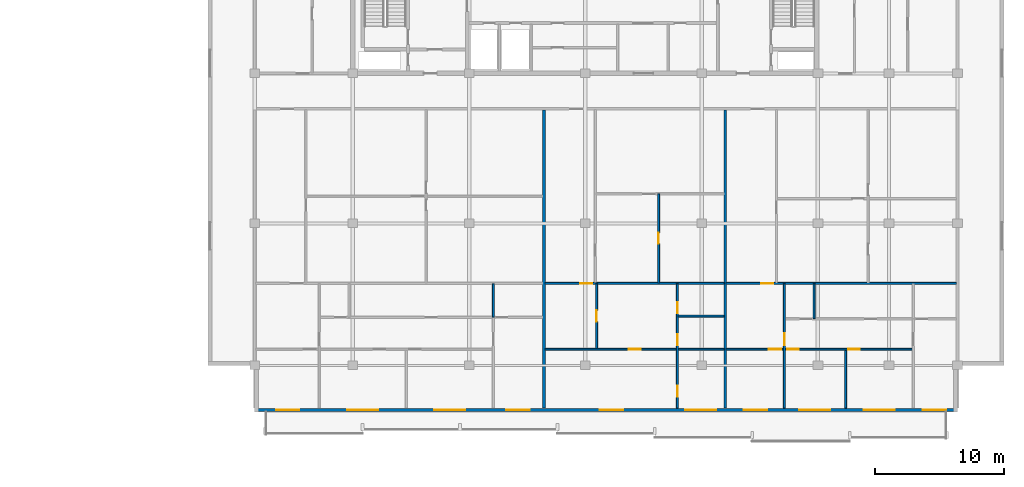
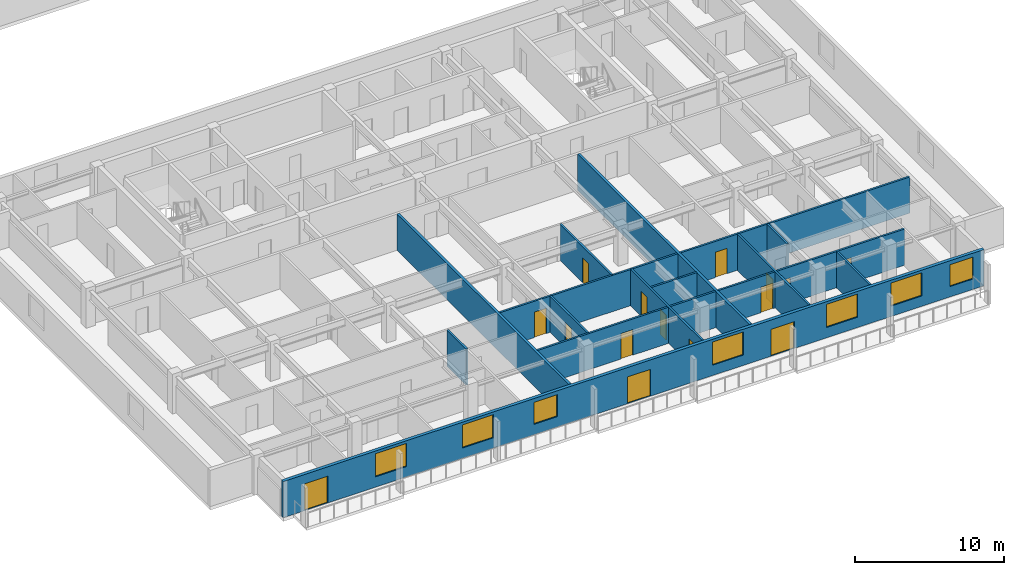
# One storey, part 5 of 22: 15 doors, 15 walls, 7 windows, 22 openings.
"""IFC4 building model written with IfcOpenShell, lengths in metres."""

from ifc_helpers import new_model, si_unit, direction, frame, frame_2d, origin, place, context, subcontext, project, spatial, rectangle, extrude, material, layer, layer_set, type_object, element, fill, save


model = new_model("IFC4")

# Units and contexts
model_context = context("Model", 3, precision=1e-05, world=origin(), true_north=direction((0.0, 1.0)))
body_context = subcontext(model_context, "Body", "Model", "MODEL_VIEW")
ifc_project = project(units=[si_unit("LENGTHUNIT", "METRE"), si_unit("AREAUNIT", "SQUARE_METRE"), si_unit("VOLUMEUNIT", "CUBIC_METRE"), si_unit("PLANEANGLEUNIT", "RADIAN"), si_unit("MASSUNIT", "GRAM", prefix="KILO")], contexts=[model_context])

# Site, building, storey
site_placement = place(None, origin())
site = spatial("IfcSite", under=ifc_project, at=site_placement, CompositionType="ELEMENT")
building_placement = place(site_placement, origin())
building = spatial("IfcBuilding", under=site, at=building_placement, Name="Korimba Cascade Residences", CompositionType="ELEMENT")
storey_placement = place(building_placement, frame((0.0, 0.0, 191.35009765625)))
storey = spatial("IfcBuildingStorey", under=building, at=storey_placement, Name="L55", CompositionType="ELEMENT", Elevation=191.35009765625)

# Wall, openings, doors, windows
ifc_material_1 = material(Name="Precast concrete C40/50", Category="concrete")
ifc_layer_1 = layer(ifc_material_1, 0.25)
ifc_layer_set_1 = layer_set([ifc_layer_1], Name="Precast concrete C40/50")
wall_type_1 = type_object("IfcWallType", Name="EW-LOG-250", PredefinedType="STANDARD", material=ifc_layer_set_1)
wall_1_placement = place(storey_placement, frame((74.5, -7.64990234375, 0.0), z_axis=(0.0, 0.0, 1.0), x_axis=(1.0, 0.0, 0.0)))
wall_1 = element("IfcWall", 1, at=wall_1_placement, inside=storey, type_object=wall_type_1, Name="L55 T2 Perimeter Stone Wall E00", PredefinedType="STANDARD", context=body_context, shape_type="SweptSolid", body=[
    extrude(rectangle(XDim=54.39990234375, YDim=0.25, at=frame_2d((27.199951171875, 0.0))), origin(), (0.0, 0.0, 1.0), 2.969970703125),
])
opening_1_placement = place(wall_1_placement, frame((7.169921875, 0.0, 0.85009765625)))
opening_1 = element("IfcOpeningElement", 2, at=opening_1_placement, cuts=wall_1, Name="Opening W-01", PredefinedType="OPENING", context=body_context, shape_type="SweptSolid", body=[
    extrude(rectangle(XDim=2.39990234375, YDim=1.89990234375, at=frame_2d((1.199951171875, 0.949951171875))), frame((0.0, 0.135009765625, 0.0), z_axis=(0.0, -1.0, 0.0), x_axis=(1.0, 0.0, 0.0)), (0.0, 0.0, 1.0), 0.27001953125),
])
opening_2_placement = place(wall_1_placement, frame((13.909912109375, 0.0, 0.85009765625)))
opening_2 = element("IfcOpeningElement", 3, at=opening_2_placement, cuts=wall_1, Name="Opening W-01", PredefinedType="OPENING", context=body_context, shape_type="SweptSolid", body=[
    extrude(rectangle(XDim=2.39990234375, YDim=1.89990234375, at=frame_2d((1.199951171875, 0.949951171875))), frame((0.0, 0.135009765625, 0.0), z_axis=(0.0, -1.0, 0.0), x_axis=(1.0, 0.0, 0.0)), (0.0, 0.0, 1.0), 0.27001953125),
])
opening_3_placement = place(wall_1_placement, frame((1.659912109375, 0.0, 0.0)))
opening_3 = element("IfcOpeningElement", 4, at=opening_3_placement, cuts=wall_1, Name="Opening D-LG1", PredefinedType="OPENING", context=body_context, shape_type="SweptSolid", body=[
    extrude(rectangle(XDim=1.800048828125, YDim=2.199951171875, at=frame_2d((0.89990234375, 1.10009765625))), frame((0.0, 0.135009765625, 0.0), z_axis=(0.0, -1.0, 0.0), x_axis=(1.0, 0.0, 0.0)), (0.0, 0.0, 1.0), 0.27001953125),
])
opening_4_placement = place(wall_1_placement, frame((19.4794921875, 0.0, 0.85009765625)))
opening_4 = element("IfcOpeningElement", 5, at=opening_4_placement, cuts=wall_1, Name="Opening W-02", PredefinedType="OPENING", context=body_context, shape_type="SweptSolid", body=[
    extrude(rectangle(XDim=1.800048828125, YDim=1.800048828125, at=frame_2d((0.89990234375, 0.89990234375))), frame((0.0, 0.135009765625, 0.0), z_axis=(0.0, -1.0, 0.0), x_axis=(1.0, 0.0, 0.0)), (0.0, 0.0, 1.0), 0.27001953125),
])
opening_5_placement = place(wall_1_placement, frame((26.719482421875, 0.0, 0.0)))
opening_5 = element("IfcOpeningElement", 6, at=opening_5_placement, cuts=wall_1, Name="Opening D-LG1", PredefinedType="OPENING", context=body_context, shape_type="SweptSolid", body=[
    extrude(rectangle(XDim=1.800048828125, YDim=2.199951171875, at=frame_2d((0.89990234375, 1.10009765625))), frame((0.0, 0.135009765625, 0.0), z_axis=(0.0, -1.0, 0.0), x_axis=(1.0, 0.0, 0.0)), (0.0, 0.0, 1.0), 0.27001953125),
])
opening_6_placement = place(wall_1_placement, frame((33.310791015625, 0.0, 0.85009765625)))
opening_6 = element("IfcOpeningElement", 7, at=opening_6_placement, cuts=wall_1, Name="Opening W-01", PredefinedType="OPENING", context=body_context, shape_type="SweptSolid", body=[
    extrude(rectangle(XDim=2.39990234375, YDim=1.89990234375, at=frame_2d((1.199951171875, 0.949951171875))), frame((0.0, 0.135009765625, 0.0), z_axis=(0.0, -1.0, 0.0), x_axis=(1.0, 0.0, 0.0)), (0.0, 0.0, 1.0), 0.27001953125),
])
opening_7_placement = place(wall_1_placement, frame((42.1708984375, 0.0, 0.85009765625)))
opening_7 = element("IfcOpeningElement", 8, at=opening_7_placement, cuts=wall_1, Name="Opening W-01", PredefinedType="OPENING", context=body_context, shape_type="SweptSolid", body=[
    extrude(rectangle(XDim=2.39990234375, YDim=1.89990234375, at=frame_2d((1.199951171875, 0.949951171875))), frame((0.0, 0.135009765625, 0.0), z_axis=(0.0, -1.0, 0.0), x_axis=(1.0, 0.0, 0.0)), (0.0, 0.0, 1.0), 0.27001953125),
])
opening_8_placement = place(wall_1_placement, frame((47.160400390625, 0.0, 0.85009765625)))
opening_8 = element("IfcOpeningElement", 9, at=opening_8_placement, cuts=wall_1, Name="Opening W-01", PredefinedType="OPENING", context=body_context, shape_type="SweptSolid", body=[
    extrude(rectangle(XDim=2.39990234375, YDim=1.89990234375, at=frame_2d((1.199951171875, 0.949951171875))), frame((0.0, 0.135009765625, 0.0), z_axis=(0.0, -1.0, 0.0), x_axis=(1.0, 0.0, 0.0)), (0.0, 0.0, 1.0), 0.27001953125),
])
opening_9_placement = place(wall_1_placement, frame((37.871337890625, 0.0, 0.0)))
opening_9 = element("IfcOpeningElement", 10, at=opening_9_placement, cuts=wall_1, Name="Opening D-LG1", PredefinedType="OPENING", context=body_context, shape_type="SweptSolid", body=[
    extrude(rectangle(XDim=1.800048828125, YDim=2.199951171875, at=frame_2d((0.89990234375, 1.10009765625))), frame((0.0, 0.135009765625, 0.0), z_axis=(0.0, -1.0, 0.0), x_axis=(1.0, 0.0, 0.0)), (0.0, 0.0, 1.0), 0.27001953125),
])
opening_10_placement = place(wall_1_placement, frame((51.72998046875, 0.0, 0.85009765625)))
opening_10 = element("IfcOpeningElement", 11, at=opening_10_placement, cuts=wall_1, Name="Opening W-02", PredefinedType="OPENING", context=body_context, shape_type="SweptSolid", body=[
    extrude(rectangle(XDim=1.800048828125, YDim=1.800048828125, at=frame_2d((0.89990234375, 0.89990234375))), frame((0.0, 0.135009765625, 0.0), z_axis=(0.0, -1.0, 0.0), x_axis=(1.0, 0.0, 0.0)), (0.0, 0.0, 1.0), 0.27001953125),
])
ifc_material_2 = material(Name="Glazed Aluminium Loggia Sliding Door", Category="aluminium")
door_type_1 = type_object("IfcDoorType", Name="DR-EXT-LOG", OperationType="NOTDEFINED", PredefinedType="DOOR", material=ifc_material_2)
door_1_placement = place(opening_3_placement, origin())
door_1 = element("IfcDoor", 12, at=door_1_placement, inside=storey, type_object=door_type_1, Name="L55 T2 Loggia Sliding Door 5", OperationType="SLIDING_TO_RIGHT", OverallHeight=2.199951171875, OverallWidth=1.800048828125, PredefinedType="DOOR", context=body_context, shape_type="SweptSolid", body=[
    extrude(rectangle(XDim=1.800048828125, YDim=2.199951171875, at=frame_2d((0.89990234375, 1.10009765625))), frame((0.0, 0.02490234375, 0.0), z_axis=(0.0, -1.0, 0.0), x_axis=(1.0, 0.0, 0.0)), (0.0, 0.0, 1.0), 0.050048828125),
])
fill(opening_3, door_1)
door_2_placement = place(opening_5_placement, origin())
door_2 = element("IfcDoor", 13, at=door_2_placement, inside=storey, type_object=door_type_1, Name="L55 T2 Loggia Sliding Door 7", OperationType="SLIDING_TO_RIGHT", OverallHeight=2.199951171875, OverallWidth=1.800048828125, PredefinedType="DOOR", context=body_context, shape_type="SweptSolid", body=[
    extrude(rectangle(XDim=1.800048828125, YDim=2.199951171875, at=frame_2d((0.89990234375, 1.10009765625))), frame((0.0, 0.02490234375, 0.0), z_axis=(0.0, -1.0, 0.0), x_axis=(1.0, 0.0, 0.0)), (0.0, 0.0, 1.0), 0.050048828125),
])
fill(opening_5, door_2)
door_3_placement = place(opening_9_placement, origin())
door_3 = element("IfcDoor", 14, at=door_3_placement, inside=storey, type_object=door_type_1, Name="L55 T2 Loggia Sliding Door 11", OperationType="SLIDING_TO_RIGHT", OverallHeight=2.199951171875, OverallWidth=1.800048828125, PredefinedType="DOOR", context=body_context, shape_type="SweptSolid", body=[
    extrude(rectangle(XDim=1.800048828125, YDim=2.199951171875, at=frame_2d((0.89990234375, 1.10009765625))), frame((0.0, 0.02490234375, 0.0), z_axis=(0.0, -1.0, 0.0), x_axis=(1.0, 0.0, 0.0)), (0.0, 0.0, 1.0), 0.050048828125),
])
fill(opening_9, door_3)
ifc_material_3 = material(Name="Double-Glazed Aluminium Window", Category="aluminium")
window_type_1 = type_object("IfcWindowType", Name="WIN-BED-1800", PartitioningType="SINGLE_PANEL", PredefinedType="WINDOW", material=ifc_material_3)
window_1_placement = place(opening_4_placement, origin())
window_1 = element("IfcWindow", 15, at=window_1_placement, inside=storey, type_object=window_type_1, Name="L55 T2 South Facade Window 6", OverallHeight=1.800048828125, OverallWidth=1.800048828125, PartitioningType="SINGLE_PANEL", PredefinedType="WINDOW", context=body_context, shape_type="SweptSolid", body=[
    extrude(rectangle(XDim=1.800048828125, YDim=1.800048828125, at=frame_2d((0.89990234375, 0.89990234375))), frame((0.0, 0.030029296875, 0.0), z_axis=(0.0, -1.0, 0.0), x_axis=(1.0, 0.0, 0.0)), (0.0, 0.0, 1.0), 0.06005859375),
])
fill(opening_4, window_1)
window_2_placement = place(opening_10_placement, origin())
window_2 = element("IfcWindow", 16, at=window_2_placement, inside=storey, type_object=window_type_1, Name="L55 T2 South Facade Window 12", OverallHeight=1.800048828125, OverallWidth=1.800048828125, PartitioningType="SINGLE_PANEL", PredefinedType="WINDOW", context=body_context, shape_type="SweptSolid", body=[
    extrude(rectangle(XDim=1.800048828125, YDim=1.800048828125, at=frame_2d((0.89990234375, 0.89990234375))), frame((0.0, 0.030029296875, 0.0), z_axis=(0.0, -1.0, 0.0), x_axis=(1.0, 0.0, 0.0)), (0.0, 0.0, 1.0), 0.06005859375),
])
fill(opening_10, window_2)
window_type_2 = type_object("IfcWindowType", Name="WIN-RES-2400", PartitioningType="DOUBLE_PANEL_VERTICAL", PredefinedType="WINDOW", material=ifc_material_3)
window_3_placement = place(opening_1_placement, origin())
window_3 = element("IfcWindow", 17, at=window_3_placement, inside=storey, type_object=window_type_2, Name="L55 T2 South Facade Window 3", OverallHeight=1.89990234375, OverallWidth=2.39990234375, PartitioningType="DOUBLE_PANEL_VERTICAL", PredefinedType="WINDOW", context=body_context, shape_type="SweptSolid", body=[
    extrude(rectangle(XDim=2.39990234375, YDim=1.89990234375, at=frame_2d((1.199951171875, 0.949951171875))), frame((0.0, 0.030029296875, 0.0), z_axis=(0.0, -1.0, 0.0), x_axis=(1.0, 0.0, 0.0)), (0.0, 0.0, 1.0), 0.06005859375),
])
fill(opening_1, window_3)
window_4_placement = place(opening_2_placement, origin())
window_4 = element("IfcWindow", 18, at=window_4_placement, inside=storey, type_object=window_type_2, Name="L55 T2 South Facade Window 4", OverallHeight=1.89990234375, OverallWidth=2.39990234375, PartitioningType="DOUBLE_PANEL_VERTICAL", PredefinedType="WINDOW", context=body_context, shape_type="SweptSolid", body=[
    extrude(rectangle(XDim=2.39990234375, YDim=1.89990234375, at=frame_2d((1.199951171875, 0.949951171875))), frame((0.0, 0.030029296875, 0.0), z_axis=(0.0, -1.0, 0.0), x_axis=(1.0, 0.0, 0.0)), (0.0, 0.0, 1.0), 0.06005859375),
])
fill(opening_2, window_4)
window_5_placement = place(opening_6_placement, origin())
window_5 = element("IfcWindow", 19, at=window_5_placement, inside=storey, type_object=window_type_2, Name="L55 T2 South Facade Window 8", OverallHeight=1.89990234375, OverallWidth=2.39990234375, PartitioningType="DOUBLE_PANEL_VERTICAL", PredefinedType="WINDOW", context=body_context, shape_type="SweptSolid", body=[
    extrude(rectangle(XDim=2.39990234375, YDim=1.89990234375, at=frame_2d((1.199951171875, 0.949951171875))), frame((0.0, 0.030029296875, 0.0), z_axis=(0.0, -1.0, 0.0), x_axis=(1.0, 0.0, 0.0)), (0.0, 0.0, 1.0), 0.06005859375),
])
fill(opening_6, window_5)
window_6_placement = place(opening_7_placement, origin())
window_6 = element("IfcWindow", 20, at=window_6_placement, inside=storey, type_object=window_type_2, Name="L55 T2 South Facade Window 9", OverallHeight=1.89990234375, OverallWidth=2.39990234375, PartitioningType="DOUBLE_PANEL_VERTICAL", PredefinedType="WINDOW", context=body_context, shape_type="SweptSolid", body=[
    extrude(rectangle(XDim=2.39990234375, YDim=1.89990234375, at=frame_2d((1.199951171875, 0.949951171875))), frame((0.0, 0.030029296875, 0.0), z_axis=(0.0, -1.0, 0.0), x_axis=(1.0, 0.0, 0.0)), (0.0, 0.0, 1.0), 0.06005859375),
])
fill(opening_7, window_6)
window_7_placement = place(opening_8_placement, origin())
window_7 = element("IfcWindow", 21, at=window_7_placement, inside=storey, type_object=window_type_2, Name="L55 T2 South Facade Window 10", OverallHeight=1.89990234375, OverallWidth=2.39990234375, PartitioningType="DOUBLE_PANEL_VERTICAL", PredefinedType="WINDOW", context=body_context, shape_type="SweptSolid", body=[
    extrude(rectangle(XDim=2.39990234375, YDim=1.89990234375, at=frame_2d((1.199951171875, 0.949951171875))), frame((0.0, 0.030029296875, 0.0), z_axis=(0.0, -1.0, 0.0), x_axis=(1.0, 0.0, 0.0)), (0.0, 0.0, 1.0), 0.06005859375),
])
fill(opening_8, window_7)

# Walls
ifc_layer_2 = layer(ifc_material_1, 0.199951171875)
ifc_layer_set_2 = layer_set([ifc_layer_2], Name="Precast concrete C40/50")
wall_type_2 = type_object("IfcWallType", Name="WAL-IT-200", PredefinedType="PARTITIONING", material=ifc_layer_set_2)
for number, where, z_axis, x_axis, name in (
    (22, (96.899169921875, -7.5, 0.0), (0.0, 0.0, 1.0), (0.0, 1.0, 0.0), "L55 Partition Wall WAL-L55-T2-DEM-1"),
    (23, (110.92138671875, -7.5, 0.0), (0.0, 0.0, 1.0), (0.0, 1.0, 0.0), "L55 Partition Wall WAL-L55-T2-DEM-2"),
):
    element("IfcWall", number, at=place(storey_placement, frame(where, z_axis=z_axis, x_axis=x_axis)), inside=storey, type_object=wall_type_2, Name=name, PredefinedType="PARTITIONING", context=body_context, shape_type="SweptSolid", body=[
        extrude(rectangle(XDim=23.070068359375, YDim=0.199951171875, at=frame_2d((11.53515625, 0.0))), origin(), (0.0, 0.0, 1.0), 2.969970703125),
    ])
ifc_material_4 = material(Name="Insulated Acoustic Stud Partition", Category="gypsum")
ifc_layer_3 = layer(ifc_material_4, 0.14990234375)
ifc_layer_set_3 = layer_set([ifc_layer_3], Name="Insulated Acoustic Stud Partition")
wall_type_3 = type_object("IfcWallType", Name="WAL-PART-150", PredefinedType="PARTITIONING", material=ifc_layer_set_3)
wall_2_placement = place(storey_placement, frame((92.97998046875, -0.469970703125, 0.0), z_axis=(0.0, 0.0, 1.0), x_axis=(0.0, 1.0, 0.0)))
element("IfcWall", 24, at=wall_2_placement, inside=storey, type_object=wall_type_3, Name="L55 Partition Wall WAL-L55-T2-U01-VBATH", PredefinedType="PARTITIONING", context=body_context, shape_type="SweptSolid", body=[
    extrude(rectangle(XDim=2.580078125, YDim=0.14990234375, at=frame_2d((1.2900390625, 0.0))), origin(), (0.0, 0.0, 1.0), 2.969970703125),
])

# Wall, opening, door
wall_3_placement = place(storey_placement, frame((105.76513671875, 2.18994140625, 0.0), z_axis=(0.0, 0.0, 1.0), x_axis=(0.0, 1.0, 0.0)))
wall_3 = element("IfcWall", 25, at=wall_3_placement, inside=storey, type_object=wall_type_3, Name="L55 Partition Wall WAL-L55-T2-U02-FMV", PredefinedType="PARTITIONING", context=body_context, shape_type="SweptSolid", body=[
    extrude(rectangle(XDim=6.880126953125, YDim=0.14990234375, at=frame_2d((3.43994140625, 0.0))), origin(), (0.0, 0.0, 1.0), 2.969970703125),
])
opening_11_placement = place(wall_3_placement, frame((3.02001953125, 0.0, 0.0)))
opening_11 = element("IfcOpeningElement", 26, at=opening_11_placement, cuts=wall_3, Name="Opening D-BT1", PredefinedType="OPENING", context=body_context, shape_type="SweptSolid", body=[
    extrude(rectangle(XDim=0.840087890625, YDim=2.0400390625, at=frame_2d((0.419921875, 1.02001953125))), frame((0.0, 0.0849609375, 0.0), z_axis=(0.0, -1.0, 0.0), x_axis=(1.0, 0.0, 0.0)), (0.0, 0.0, 1.0), 0.169921875),
])
ifc_material_5 = material(Name="Moisture-Resistant Bathroom Timber Door", Category="wood")
door_type_2 = type_object("IfcDoorType", Name="DR-INT-850", OperationType="NOTDEFINED", PredefinedType="DOOR", material=ifc_material_5)
door_4_placement = place(opening_11_placement, origin())
door_4 = element("IfcDoor", 27, at=door_4_placement, inside=storey, type_object=door_type_2, Name="L55-T2-U02 Wardrobe Door", OperationType="SINGLE_SWING_RIGHT", OverallHeight=2.0400390625, OverallWidth=0.840087890625, PredefinedType="DOOR", context=body_context, shape_type="SweptSolid", body=[
    extrude(rectangle(XDim=0.840087890625, YDim=2.0400390625, at=frame_2d((0.419921875, 1.02001953125))), frame((0.0, 0.02490234375, 0.0), z_axis=(0.0, -1.0, 0.0), x_axis=(1.0, 0.0, 0.0)), (0.0, 0.0, 1.0), 0.050048828125),
])
fill(opening_11, door_4)

wall_4_placement = place(storey_placement, frame((100.968994140625, -2.889892578125, 0.0), z_axis=(0.0, 0.0, 1.0), x_axis=(0.0, 1.0, 0.0)))
wall_4 = element("IfcWall", 28, at=wall_4_placement, inside=storey, type_object=wall_type_3, Name="L55 Partition Wall WAL-L55-T2-U02-VDIN", PredefinedType="PARTITIONING", context=body_context, shape_type="SweptSolid", body=[
    extrude(rectangle(XDim=5.0, YDim=0.14990234375, at=frame_2d((2.5, 0.0))), origin(), (0.0, 0.0, 1.0), 2.969970703125),
])
opening_12_placement = place(wall_4_placement, frame((2.06005859375, 0.0, 0.0)))
opening_12 = element("IfcOpeningElement", 29, at=opening_12_placement, cuts=wall_4, Name="Opening D-IN2", PredefinedType="OPENING", context=body_context, shape_type="SweptSolid", body=[
    extrude(rectangle(XDim=0.8798828125, YDim=2.06005859375, at=frame_2d((0.43994140625, 1.030029296875))), frame((0.0, 0.0849609375, 0.0), z_axis=(0.0, -1.0, 0.0), x_axis=(1.0, 0.0, 0.0)), (0.0, 0.0, 1.0), 0.169921875),
])
ifc_material_6 = material(Name="Acoustic Timber Bedroom Door", Category="wood")
door_type_3 = type_object("IfcDoorType", Name="DR-INT-880", OperationType="NOTDEFINED", PredefinedType="DOOR", material=ifc_material_6)
door_5_placement = place(opening_12_placement, origin())
door_5 = element("IfcDoor", 30, at=door_5_placement, inside=storey, type_object=door_type_3, Name="L55-T2-U02 Dining Room Door", OperationType="SINGLE_SWING_LEFT", OverallHeight=2.06005859375, OverallWidth=0.8798828125, PredefinedType="DOOR", context=body_context, shape_type="SweptSolid", body=[
    extrude(rectangle(XDim=0.8798828125, YDim=2.06005859375, at=frame_2d((0.43994140625, 1.030029296875))), frame((0.0, 0.02490234375, 0.0), z_axis=(0.0, -1.0, 0.0), x_axis=(1.0, 0.0, 0.0)), (0.0, 0.0, 1.0), 0.050048828125),
])
fill(opening_12, door_5)

# Wall
wall_5_placement = place(storey_placement, frame((107.280029296875, -0.389892578125, 0.0), z_axis=(0.0, 0.0, 1.0), x_axis=(1.0, 0.0, 0.0)))
element("IfcWall", 31, at=wall_5_placement, inside=storey, type_object=wall_type_3, Name="L55 Partition Wall WAL-L55-T2-U02-BLDIV", PredefinedType="PARTITIONING", context=body_context, shape_type="SweptSolid", body=[
    extrude(rectangle(XDim=3.561279296875, YDim=0.14990234375, at=frame_2d((1.78076171875, 0.0))), origin(), (0.0, 0.0, 1.0), 2.969970703125),
])

# Wall, openings, doors
wall_6_placement = place(storey_placement, frame((107.219970703125, -7.5, 0.0), z_axis=(0.0, 0.0, 1.0), x_axis=(0.0, 1.0, 0.0)))
wall_6 = element("IfcWall", 32, at=wall_6_placement, inside=storey, type_object=wall_type_3, Name="L55 Partition Wall WAL-L55-T2-U02-V1", PredefinedType="PARTITIONING", context=body_context, shape_type="SweptSolid", body=[
    extrude(rectangle(XDim=9.610107421875, YDim=0.14990234375, at=frame_2d((4.80517578125, 0.0))), origin(), (0.0, 0.0, 1.0), 2.969970703125),
])
opening_13_placement = place(wall_6_placement, frame((4.874755859375, 0.0, 0.0)))
opening_13 = element("IfcOpeningElement", 33, at=opening_13_placement, cuts=wall_6, Name="Opening D-BT1", PredefinedType="OPENING", context=body_context, shape_type="SweptSolid", body=[
    extrude(rectangle(XDim=0.840087890625, YDim=2.0400390625, at=frame_2d((0.419921875, 1.02001953125))), frame((0.0, 0.0849609375, 0.0), z_axis=(0.0, -1.0, 0.0), x_axis=(1.0, 0.0, 0.0)), (0.0, 0.0, 1.0), 0.169921875),
])
opening_14_placement = place(wall_6_placement, frame((7.339599609375, 0.0, 0.0)))
opening_14 = element("IfcOpeningElement", 34, at=opening_14_placement, cuts=wall_6, Name="Opening D-BT1", PredefinedType="OPENING", context=body_context, shape_type="SweptSolid", body=[
    extrude(rectangle(XDim=0.840087890625, YDim=2.0400390625, at=frame_2d((0.419921875, 1.02001953125))), frame((0.0, 0.0849609375, 0.0), z_axis=(0.0, -1.0, 0.0), x_axis=(1.0, 0.0, 0.0)), (0.0, 0.0, 1.0), 0.169921875),
])
opening_15_placement = place(wall_6_placement, frame((0.859130859375, 0.0, 0.0)))
opening_15 = element("IfcOpeningElement", 35, at=opening_15_placement, cuts=wall_6, Name="Opening D-IN2", PredefinedType="OPENING", context=body_context, shape_type="SweptSolid", body=[
    extrude(rectangle(XDim=0.8798828125, YDim=2.06005859375, at=frame_2d((0.43994140625, 1.030029296875))), frame((0.0, 0.0849609375, 0.0), z_axis=(0.0, -1.0, 0.0), x_axis=(1.0, 0.0, 0.0)), (0.0, 0.0, 1.0), 0.169921875),
])
door_6_placement = place(opening_13_placement, origin())
door_6 = element("IfcDoor", 36, at=door_6_placement, inside=storey, type_object=door_type_2, Name="L55-T2-U02 Bathroom Door", OperationType="SINGLE_SWING_RIGHT", OverallHeight=2.0400390625, OverallWidth=0.840087890625, PredefinedType="DOOR", context=body_context, shape_type="SweptSolid", body=[
    extrude(rectangle(XDim=0.840087890625, YDim=2.0400390625, at=frame_2d((0.419921875, 1.02001953125))), frame((0.0, 0.02490234375, 0.0), z_axis=(0.0, -1.0, 0.0), x_axis=(1.0, 0.0, 0.0)), (0.0, 0.0, 1.0), 0.050048828125),
])
fill(opening_13, door_6)
door_7_placement = place(opening_14_placement, origin())
door_7 = element("IfcDoor", 37, at=door_7_placement, inside=storey, type_object=door_type_2, Name="L55-T2-U02 Laundry Door", OperationType="SINGLE_SWING_LEFT", OverallHeight=2.0400390625, OverallWidth=0.840087890625, PredefinedType="DOOR", context=body_context, shape_type="SweptSolid", body=[
    extrude(rectangle(XDim=0.840087890625, YDim=2.0400390625, at=frame_2d((0.419921875, 1.02001953125))), frame((0.0, 0.02490234375, 0.0), z_axis=(0.0, -1.0, 0.0), x_axis=(1.0, 0.0, 0.0)), (0.0, 0.0, 1.0), 0.050048828125),
])
fill(opening_14, door_7)
door_8_placement = place(opening_15_placement, origin())
door_8 = element("IfcDoor", 38, at=door_8_placement, inside=storey, type_object=door_type_3, Name="L55-T2-U02 Bedroom 1 Door", OperationType="SINGLE_SWING_RIGHT", OverallHeight=2.06005859375, OverallWidth=0.8798828125, PredefinedType="DOOR", context=body_context, shape_type="SweptSolid", body=[
    extrude(rectangle(XDim=0.8798828125, YDim=2.06005859375, at=frame_2d((0.43994140625, 1.030029296875))), frame((0.0, 0.02490234375, 0.0), z_axis=(0.0, -1.0, 0.0), x_axis=(1.0, 0.0, 0.0)), (0.0, 0.0, 1.0), 0.050048828125),
])
fill(opening_15, door_8)

# Wall, opening, door
wall_7_placement = place(storey_placement, frame((96.97900390625, 2.14990234375, 0.0), z_axis=(0.0, 0.0, 1.0), x_axis=(1.0, 0.0, 0.0)))
wall_7 = element("IfcWall", 39, at=wall_7_placement, inside=storey, type_object=wall_type_3, Name="L55 Partition Wall WAL-L55-T2-U02-MW", PredefinedType="PARTITIONING", context=body_context, shape_type="SweptSolid", body=[
    extrude(rectangle(XDim=13.8623046875, YDim=0.14990234375, at=frame_2d((6.93115234375, 0.0))), origin(), (0.0, 0.0, 1.0), 2.969970703125),
])
opening_16_placement = place(wall_7_placement, frame((2.719970703125, 0.0, 0.0)))
opening_16 = element("IfcOpeningElement", 40, at=opening_16_placement, cuts=wall_7, Name="Opening D-IN1", PredefinedType="OPENING", context=body_context, shape_type="SweptSolid", body=[
    extrude(rectangle(XDim=0.919921875, YDim=2.080078125, at=frame_2d((0.4599609375, 1.0400390625))), frame((0.0, 0.0849609375, 0.0), z_axis=(0.0, -1.0, 0.0), x_axis=(1.0, 0.0, 0.0)), (0.0, 0.0, 1.0), 0.169921875),
])
ifc_material_7 = material(Name="Acoustic Timber Living Door", Category="wood")
door_type_4 = type_object("IfcDoorType", Name="DR-INT-920", OperationType="NOTDEFINED", PredefinedType="DOOR", material=ifc_material_7)
door_9_placement = place(opening_16_placement, origin())
door_9 = element("IfcDoor", 41, at=door_9_placement, inside=storey, type_object=door_type_4, Name="L55-T2-U02 Kitchen Archway Door", OperationType="SINGLE_SWING_LEFT", OverallHeight=2.080078125, OverallWidth=0.919921875, PredefinedType="DOOR", context=body_context, shape_type="SweptSolid", body=[
    extrude(rectangle(XDim=0.919921875, YDim=2.080078125, at=frame_2d((0.4599609375, 1.0400390625))), frame((0.0, 0.02490234375, 0.0), z_axis=(0.0, -1.0, 0.0), x_axis=(1.0, 0.0, 0.0)), (0.0, 0.0, 1.0), 0.050048828125),
])
fill(opening_16, door_9)

wall_8_placement = place(storey_placement, frame((96.97900390625, -2.949951171875, 0.0), z_axis=(0.0, 0.0, 1.0), x_axis=(1.0, 0.0, 0.0)))
wall_8 = element("IfcWall", 42, at=wall_8_placement, inside=storey, type_object=wall_type_3, Name="L55 Partition Wall WAL-L55-T2-U02-HZ", PredefinedType="PARTITIONING", context=body_context, shape_type="SweptSolid", body=[
    extrude(rectangle(XDim=13.8623046875, YDim=0.14990234375, at=frame_2d((6.93115234375, 0.0))), origin(), (0.0, 0.0, 1.0), 2.969970703125),
])
opening_17_placement = place(wall_8_placement, frame((6.461181640625, 0.0, 0.0)))
opening_17 = element("IfcOpeningElement", 43, at=opening_17_placement, cuts=wall_8, Name="Opening D-IN0", PredefinedType="OPENING", context=body_context, shape_type="SweptSolid", body=[
    extrude(rectangle(XDim=0.93994140625, YDim=2.10009765625, at=frame_2d((0.469970703125, 1.050048828125))), frame((0.0, 0.0849609375, 0.0), z_axis=(0.0, -1.0, 0.0), x_axis=(1.0, 0.0, 0.0)), (0.0, 0.0, 1.0), 0.169921875),
])
ifc_material_8 = material(Name="Acoustic Timber Living Archway Door", Category="wood")
door_type_5 = type_object("IfcDoorType", Name="DR-INT-950", OperationType="NOTDEFINED", PredefinedType="DOOR", material=ifc_material_8)
door_10_placement = place(opening_17_placement, origin())
door_10 = element("IfcDoor", 44, at=door_10_placement, inside=storey, type_object=door_type_5, Name="L55-T2-U02 Living Archway Door", OperationType="SINGLE_SWING_RIGHT", OverallHeight=2.10009765625, OverallWidth=0.93994140625, PredefinedType="DOOR", context=body_context, shape_type="SweptSolid", body=[
    extrude(rectangle(XDim=0.93994140625, YDim=2.10009765625, at=frame_2d((0.469970703125, 1.050048828125))), frame((0.0, 0.02490234375, 0.0), z_axis=(0.0, -1.0, 0.0), x_axis=(1.0, 0.0, 0.0)), (0.0, 0.0, 1.0), 0.050048828125),
])
fill(opening_17, door_10)

# Walls
wall_9_placement = place(storey_placement, frame((117.811279296875, -0.580078125, 0.0), z_axis=(0.0, 0.0, 1.0), x_axis=(0.0, 1.0, 0.0)))
element("IfcWall", 45, at=wall_9_placement, inside=storey, type_object=wall_type_3, Name="L55 Partition Wall WAL-L55-T2-U03-VDRS", PredefinedType="PARTITIONING", context=body_context, shape_type="SweptSolid", body=[
    extrude(rectangle(XDim=2.690185546875, YDim=0.14990234375, at=frame_2d((1.34521484375, 0.0))), origin(), (0.0, 0.0, 1.0), 2.969970703125),
])
wall_10_placement = place(storey_placement, frame((120.24072265625, -7.5, 0.0), z_axis=(0.0, 0.0, 1.0), x_axis=(0.0, 1.0, 0.0)))
element("IfcWall", 46, at=wall_10_placement, inside=storey, type_object=wall_type_3, Name="L55 Partition Wall WAL-L55-T2-U03-VSTD", PredefinedType="PARTITIONING", context=body_context, shape_type="SweptSolid", body=[
    extrude(rectangle(XDim=4.469970703125, YDim=0.14990234375, at=frame_2d((2.23486328125, 0.0))), origin(), (0.0, 0.0, 1.0), 2.969970703125),
])

# Wall, opening, door
wall_11_placement = place(storey_placement, frame((115.50146484375, -7.5, 0.0), z_axis=(0.0, 0.0, 1.0), x_axis=(0.0, 1.0, 0.0)))
wall_11 = element("IfcWall", 47, at=wall_11_placement, inside=storey, type_object=wall_type_3, Name="L55 Partition Wall WAL-L55-T2-U03-V1", PredefinedType="PARTITIONING", context=body_context, shape_type="SweptSolid", body=[
    extrude(rectangle(XDim=9.610107421875, YDim=0.14990234375, at=frame_2d((4.80517578125, 0.0))), origin(), (0.0, 0.0, 1.0), 2.969970703125),
])
opening_18_placement = place(wall_11_placement, frame((4.8701171875, 0.0, 0.0)))
opening_18 = element("IfcOpeningElement", 48, at=opening_18_placement, cuts=wall_11, Name="Opening D-IN1", PredefinedType="OPENING", context=body_context, shape_type="SweptSolid", body=[
    extrude(rectangle(XDim=0.919921875, YDim=2.080078125, at=frame_2d((0.4599609375, 1.0400390625))), frame((0.0, 0.0849609375, 0.0), z_axis=(0.0, -1.0, 0.0), x_axis=(1.0, 0.0, 0.0)), (0.0, 0.0, 1.0), 0.169921875),
])
door_11_placement = place(opening_18_placement, origin())
door_11 = element("IfcDoor", 49, at=door_11_placement, inside=storey, type_object=door_type_4, Name="L55-T2-U03 Hallway Door", OperationType="SINGLE_SWING_LEFT", OverallHeight=2.080078125, OverallWidth=0.919921875, PredefinedType="DOOR", context=body_context, shape_type="SweptSolid", body=[
    extrude(rectangle(XDim=0.919921875, YDim=2.080078125, at=frame_2d((0.4599609375, 1.0400390625))), frame((0.0, 0.02490234375, 0.0), z_axis=(0.0, -1.0, 0.0), x_axis=(1.0, 0.0, 0.0)), (0.0, 0.0, 1.0), 0.050048828125),
])
fill(opening_18, door_11)

wall_12_placement = place(storey_placement, frame((111.00146484375, 2.14990234375, 0.0), z_axis=(0.0, 0.0, 1.0), x_axis=(1.0, 0.0, 0.0)))
wall_12 = element("IfcWall", 50, at=wall_12_placement, inside=storey, type_object=wall_type_3, Name="L55 Partition Wall WAL-L55-T2-U03-MW", PredefinedType="PARTITIONING", context=body_context, shape_type="SweptSolid", body=[
    extrude(rectangle(XDim=17.818603515625, YDim=0.14990234375, at=frame_2d((8.9091796875, 0.0))), origin(), (0.0, 0.0, 1.0), 2.969970703125),
])
opening_19_placement = place(wall_12_placement, frame((2.719970703125, 0.0, 0.0)))
opening_19 = element("IfcOpeningElement", 51, at=opening_19_placement, cuts=wall_12, Name="Opening D-IN1", PredefinedType="OPENING", context=body_context, shape_type="SweptSolid", body=[
    extrude(rectangle(XDim=0.919921875, YDim=2.080078125, at=frame_2d((0.4599609375, 1.0400390625))), frame((0.0, 0.0849609375, 0.0), z_axis=(0.0, -1.0, 0.0), x_axis=(1.0, 0.0, 0.0)), (0.0, 0.0, 1.0), 0.169921875),
])
door_12_placement = place(opening_19_placement, origin())
door_12 = element("IfcDoor", 52, at=door_12_placement, inside=storey, type_object=door_type_4, Name="L55-T2-U03 Kitchen Door", OperationType="SINGLE_SWING_RIGHT", OverallHeight=2.080078125, OverallWidth=0.919921875, PredefinedType="DOOR", context=body_context, shape_type="SweptSolid", body=[
    extrude(rectangle(XDim=0.919921875, YDim=2.080078125, at=frame_2d((0.4599609375, 1.0400390625))), frame((0.0, 0.02490234375, 0.0), z_axis=(0.0, -1.0, 0.0), x_axis=(1.0, 0.0, 0.0)), (0.0, 0.0, 1.0), 0.050048828125),
])
fill(opening_19, door_12)

# Wall, openings, doors
wall_13_placement = place(storey_placement, frame((111.00146484375, -2.949951171875, 0.0), z_axis=(0.0, 0.0, 1.0), x_axis=(1.0, 0.0, 0.0)))
wall_13 = element("IfcWall", 53, at=wall_13_placement, inside=storey, type_object=wall_type_3, Name="L55 Partition Wall WAL-L55-T2-U03-HZ", PredefinedType="PARTITIONING", context=body_context, shape_type="SweptSolid", body=[
    extrude(rectangle(XDim=14.478515625, YDim=0.14990234375, at=frame_2d((7.2392578125, 0.0))), origin(), (0.0, 0.0, 1.0), 2.969970703125),
])
opening_20_placement = place(wall_13_placement, frame((3.31005859375, 0.0, 0.0)))
opening_20 = element("IfcOpeningElement", 54, at=opening_20_placement, cuts=wall_13, Name="Opening D-IN0", PredefinedType="OPENING", context=body_context, shape_type="SweptSolid", body=[
    extrude(rectangle(XDim=0.93994140625, YDim=2.10009765625, at=frame_2d((0.469970703125, 1.050048828125))), frame((0.0, 0.0849609375, 0.0), z_axis=(0.0, -1.0, 0.0), x_axis=(1.0, 0.0, 0.0)), (0.0, 0.0, 1.0), 0.169921875),
])
opening_21_placement = place(wall_13_placement, frame((4.719970703125, 0.0, 0.0)))
opening_21 = element("IfcOpeningElement", 55, at=opening_21_placement, cuts=wall_13, Name="Opening D-IN2", PredefinedType="OPENING", context=body_context, shape_type="SweptSolid", body=[
    extrude(rectangle(XDim=0.8798828125, YDim=2.06005859375, at=frame_2d((0.43994140625, 1.030029296875))), frame((0.0, 0.0849609375, 0.0), z_axis=(0.0, -1.0, 0.0), x_axis=(1.0, 0.0, 0.0)), (0.0, 0.0, 1.0), 0.169921875),
])
opening_22_placement = place(wall_13_placement, frame((9.459228515625, 0.0, 0.0)))
opening_22 = element("IfcOpeningElement", 56, at=opening_22_placement, cuts=wall_13, Name="Opening D-IN2", PredefinedType="OPENING", context=body_context, shape_type="SweptSolid", body=[
    extrude(rectangle(XDim=0.8798828125, YDim=2.06005859375, at=frame_2d((0.43994140625, 1.030029296875))), frame((0.0, 0.0849609375, 0.0), z_axis=(0.0, -1.0, 0.0), x_axis=(1.0, 0.0, 0.0)), (0.0, 0.0, 1.0), 0.169921875),
])
door_13_placement = place(opening_21_placement, origin())
door_13 = element("IfcDoor", 57, at=door_13_placement, inside=storey, type_object=door_type_3, Name="L55-T2-U03 Bedroom 2 Door", OperationType="SINGLE_SWING_RIGHT", OverallHeight=2.06005859375, OverallWidth=0.8798828125, PredefinedType="DOOR", context=body_context, shape_type="SweptSolid", body=[
    extrude(rectangle(XDim=0.8798828125, YDim=2.06005859375, at=frame_2d((0.43994140625, 1.030029296875))), frame((0.0, 0.02490234375, 0.0), z_axis=(0.0, -1.0, 0.0), x_axis=(1.0, 0.0, 0.0)), (0.0, 0.0, 1.0), 0.050048828125),
])
fill(opening_21, door_13)
door_14_placement = place(opening_22_placement, origin())
door_14 = element("IfcDoor", 58, at=door_14_placement, inside=storey, type_object=door_type_3, Name="L55-T2-U03 Study Door", OperationType="SINGLE_SWING_LEFT", OverallHeight=2.06005859375, OverallWidth=0.8798828125, PredefinedType="DOOR", context=body_context, shape_type="SweptSolid", body=[
    extrude(rectangle(XDim=0.8798828125, YDim=2.06005859375, at=frame_2d((0.43994140625, 1.030029296875))), frame((0.0, 0.02490234375, 0.0), z_axis=(0.0, -1.0, 0.0), x_axis=(1.0, 0.0, 0.0)), (0.0, 0.0, 1.0), 0.050048828125),
])
fill(opening_22, door_14)
door_15_placement = place(opening_20_placement, origin())
door_15 = element("IfcDoor", 59, at=door_15_placement, inside=storey, type_object=door_type_5, Name="L55-T2-U03 Living Room Door", OperationType="SINGLE_SWING_LEFT", OverallHeight=2.10009765625, OverallWidth=0.93994140625, PredefinedType="DOOR", context=body_context, shape_type="SweptSolid", body=[
    extrude(rectangle(XDim=0.93994140625, YDim=2.10009765625, at=frame_2d((0.469970703125, 1.050048828125))), frame((0.0, 0.02490234375, 0.0), z_axis=(0.0, -1.0, 0.0), x_axis=(1.0, 0.0, 0.0)), (0.0, 0.0, 1.0), 0.050048828125),
])
fill(opening_20, door_15)

save(model, "model.ifc")
